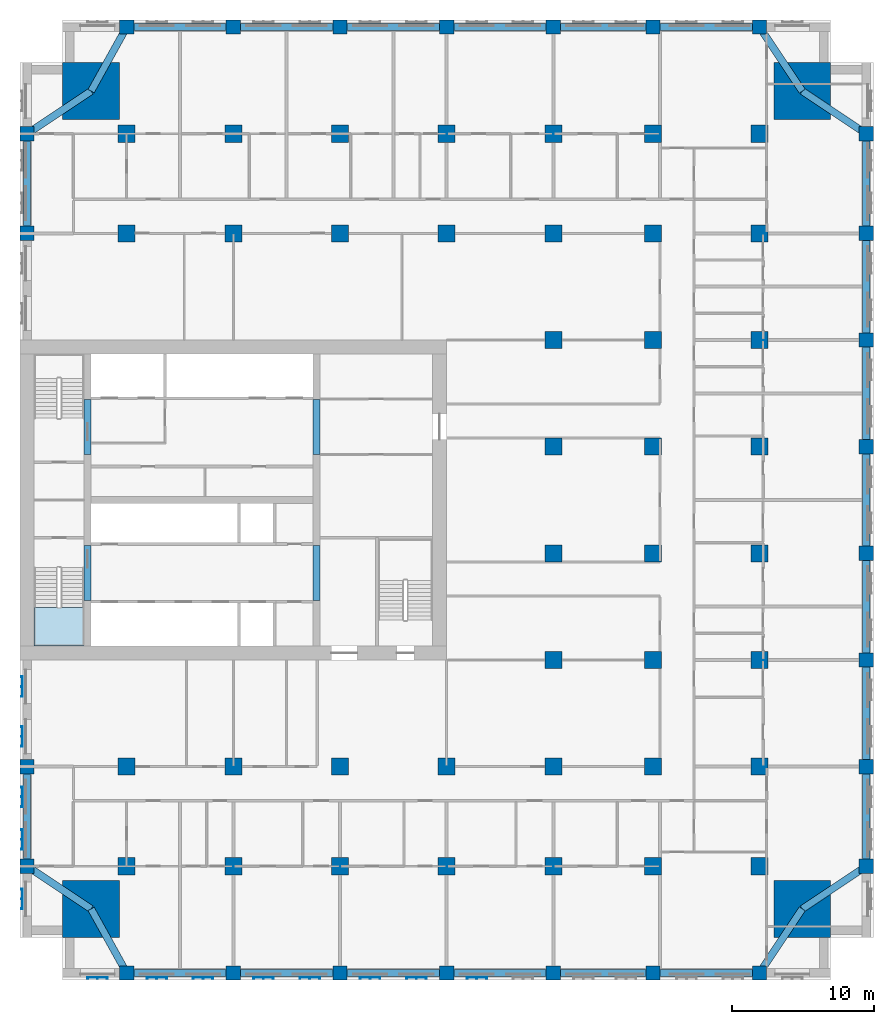
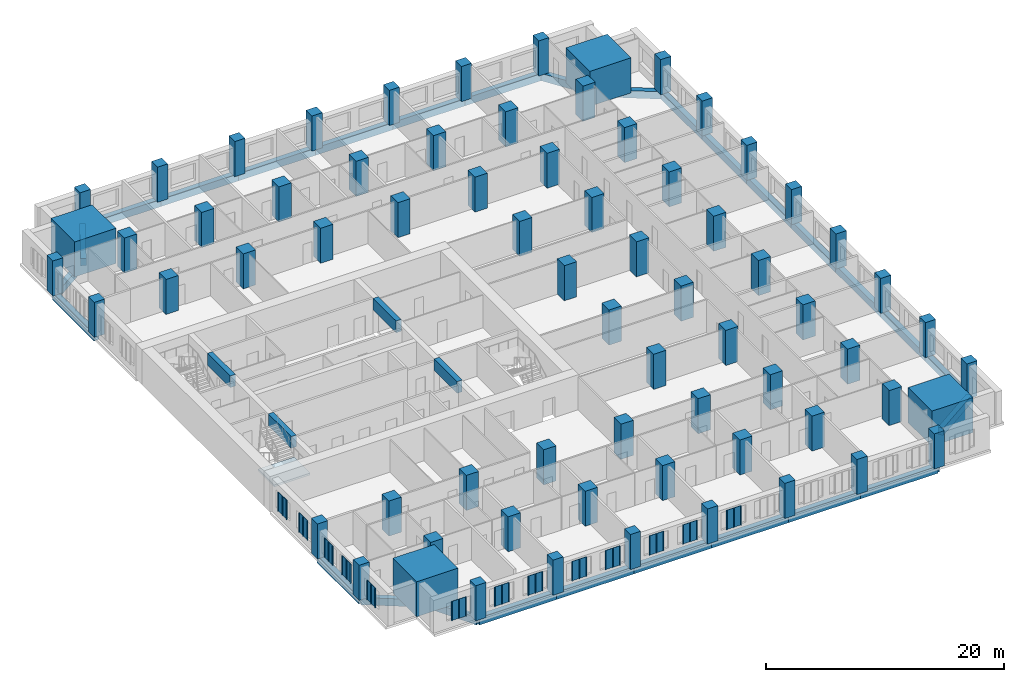
# One storey, part 1 of 14: 70 columns, 33 beams, 13 plates, 1 slab, 1 element without a shape of its own.
"""IFC4 building model written with IfcOpenShell, lengths in metres."""

from ifc_helpers import new_model, si_unit, direction, frame, origin, origin_2d, place, context, subcontext, project, spatial, polyline, rectangle, outline, extrude, material, layer, layer_set, material_profile, profile_set, type_object, element, aggregate, save


model = new_model("IFC4")

# Units and contexts
model_context = context("Model", 3, precision=1e-05, world=origin(), true_north=direction((0.0, 1.0)))
body_context = subcontext(model_context, "Body", "Model", "MODEL_VIEW")
ifc_project = project(units=[si_unit("LENGTHUNIT", "METRE"), si_unit("AREAUNIT", "SQUARE_METRE"), si_unit("VOLUMEUNIT", "CUBIC_METRE"), si_unit("PLANEANGLEUNIT", "RADIAN"), si_unit("MASSUNIT", "GRAM", prefix="KILO")], contexts=[model_context])

# Site, building, storey
site_placement = place(None, origin())
site = spatial("IfcSite", under=ifc_project, at=site_placement, CompositionType="ELEMENT")
building_placement = place(site_placement, origin())
building = spatial("IfcBuilding", under=site, at=building_placement, Name="Tamorin Gate", CompositionType="ELEMENT")
storey_placement = place(building_placement, frame((0.0, 0.0, 44.800048828125)))
storey = spatial("IfcBuildingStorey", under=building, at=storey_placement, Name="L09", CompositionType="ELEMENT", Elevation=44.800048828125)

# Columns
ifc_material_1 = material(Name="Concrete C80/95", Category="concrete")
ifc_material_profile_1 = material_profile(ifc_material_1, rectangle(XDim=1.0, YDim=1.0, at=origin_2d()), Name="RC 1000x1000")
ifc_profile_set_1 = profile_set([ifc_material_profile_1], Name="Concrete C80/95")
column_type_1 = type_object("IfcColumnType", Name="RC column 1000x1000 C80/95", PredefinedType="COLUMN", material=ifc_profile_set_1)
for number, where, z_axis, x_axis, name in (
    (1, (30.5, 45.5, 0.0), (0.0, 0.0, 1.0), (1.0, 0.0, 0.0), "Ring column L09"),
    (2, (30.5, 52.5, 0.0), (0.0, 0.0, 1.0), (1.0, 0.0, 0.0), "Ring column L09"),
    (3, (30.5, 90.0, 0.0), (0.0, 0.0, 1.0), (1.0, 0.0, 0.0), "Ring column L09"),
    (4, (30.5, 97.0, 0.0), (0.0, 0.0, 1.0), (1.0, 0.0, 0.0), "Ring column L09"),
    (5, (37.5, 38.0, 0.0), (0.0, 0.0, 1.0), (1.0, 0.0, 0.0), "Ring column L09"),
    (6, (37.5, 104.5, 0.0), (0.0, 0.0, 1.0), (1.0, 0.0, 0.0), "Ring column L09"),
    (7, (45.0, 38.0, 0.0), (0.0, 0.0, 1.0), (1.0, 0.0, 0.0), "Ring column L09"),
    (8, (45.0, 104.5, 0.0), (0.0, 0.0, 1.0), (1.0, 0.0, 0.0), "Ring column L09"),
    (9, (52.5, 38.0, 0.0), (0.0, 0.0, 1.0), (1.0, 0.0, 0.0), "Ring column L09"),
    (10, (52.5, 104.5, 0.0), (0.0, 0.0, 1.0), (1.0, 0.0, 0.0), "Ring column L09"),
    (11, (60.0, 38.0, 0.0), (0.0, 0.0, 1.0), (1.0, 0.0, 0.0), "Ring column L09"),
    (12, (60.0, 104.5, 0.0), (0.0, 0.0, 1.0), (1.0, 0.0, 0.0), "Ring column L09"),
    (13, (67.5, 38.0, 0.0), (0.0, 0.0, 1.0), (1.0, 0.0, 0.0), "Ring column L09"),
    (14, (67.5, 104.5, 0.0), (0.0, 0.0, 1.0), (1.0, 0.0, 0.0), "Ring column L09"),
    (15, (74.5, 38.0, 0.0), (0.0, 0.0, 1.0), (1.0, 0.0, 0.0), "Ring column L09"),
    (16, (74.5, 104.5, 0.0), (0.0, 0.0, 1.0), (1.0, 0.0, 0.0), "Ring column L09"),
    (17, (82.0, 38.0, 0.0), (0.0, 0.0, 1.0), (1.0, 0.0, 0.0), "Ring column L09"),
    (18, (82.0, 104.5, 0.0), (0.0, 0.0, 1.0), (1.0, 0.0, 0.0), "Ring column L09"),
    (19, (89.5, 45.5, 0.0), (0.0, 0.0, 1.0), (1.0, 0.0, 0.0), "Ring column L09"),
    (20, (89.5, 52.5, 0.0), (0.0, 0.0, 1.0), (1.0, 0.0, 0.0), "Ring column L09"),
    (21, (89.5, 60.0, 0.0), (0.0, 0.0, 1.0), (1.0, 0.0, 0.0), "Ring column L09"),
    (22, (89.5, 67.5, 0.0), (0.0, 0.0, 1.0), (1.0, 0.0, 0.0), "Ring column L09"),
    (23, (89.5, 75.0, 0.0), (0.0, 0.0, 1.0), (1.0, 0.0, 0.0), "Ring column L09"),
    (24, (89.5, 82.5, 0.0), (0.0, 0.0, 1.0), (1.0, 0.0, 0.0), "Ring column L09"),
    (25, (89.5, 90.0, 0.0), (0.0, 0.0, 1.0), (1.0, 0.0, 0.0), "Ring column L09"),
    (26, (89.5, 97.0, 0.0), (0.0, 0.0, 1.0), (1.0, 0.0, 0.0), "Ring column L09"),
):
    element("IfcColumn", number, at=place(storey_placement, frame(where, z_axis=z_axis, x_axis=x_axis)), inside=storey, type_object=column_type_1, Name=name, PredefinedType="COLUMN", context=body_context, shape_type="SweptSolid", body=[
        extrude(rectangle(XDim=1.0, YDim=1.0, at=origin_2d()), origin(), (0.0, 0.0, 1.0), 3.599853515625),
    ])
ifc_material_profile_2 = material_profile(ifc_material_1, rectangle(XDim=1.199951171875, YDim=1.199951171875, at=origin_2d()), Name="RC 1200x1200")
ifc_profile_set_2 = profile_set([ifc_material_profile_2], Name="Concrete C80/95")
column_type_2 = type_object("IfcColumnType", Name="RC column 1200x1200 C80/95", PredefinedType="COLUMN", material=ifc_profile_set_2)
for number, where, z_axis, x_axis, name in (
    (27, (37.5, 45.5, 0.0), (0.0, 0.0, 1.0), (1.0, 0.0, 0.0), "Interior column L09"),
    (28, (37.5, 52.5, 0.0), (0.0, 0.0, 1.0), (1.0, 0.0, 0.0), "Interior column L09"),
    (29, (37.5, 90.0, 0.0), (0.0, 0.0, 1.0), (1.0, 0.0, 0.0), "Interior column L09"),
    (30, (37.5, 97.0, 0.0), (0.0, 0.0, 1.0), (1.0, 0.0, 0.0), "Interior column L09"),
    (31, (45.0, 45.5, 0.0), (0.0, 0.0, 1.0), (1.0, 0.0, 0.0), "Interior column L09"),
    (32, (45.0, 52.5, 0.0), (0.0, 0.0, 1.0), (1.0, 0.0, 0.0), "Interior column L09"),
    (33, (45.0, 90.0, 0.0), (0.0, 0.0, 1.0), (1.0, 0.0, 0.0), "Interior column L09"),
    (34, (45.0, 97.0, 0.0), (0.0, 0.0, 1.0), (1.0, 0.0, 0.0), "Interior column L09"),
    (35, (52.5, 45.5, 0.0), (0.0, 0.0, 1.0), (1.0, 0.0, 0.0), "Interior column L09"),
    (36, (52.5, 52.5, 0.0), (0.0, 0.0, 1.0), (1.0, 0.0, 0.0), "Interior column L09"),
    (37, (52.5, 90.0, 0.0), (0.0, 0.0, 1.0), (1.0, 0.0, 0.0), "Interior column L09"),
    (38, (52.5, 97.0, 0.0), (0.0, 0.0, 1.0), (1.0, 0.0, 0.0), "Interior column L09"),
    (39, (60.0, 45.5, 0.0), (0.0, 0.0, 1.0), (1.0, 0.0, 0.0), "Interior column L09"),
    (40, (60.0, 52.5, 0.0), (0.0, 0.0, 1.0), (1.0, 0.0, 0.0), "Interior column L09"),
    (41, (60.0, 90.0, 0.0), (0.0, 0.0, 1.0), (1.0, 0.0, 0.0), "Interior column L09"),
    (42, (60.0, 97.0, 0.0), (0.0, 0.0, 1.0), (1.0, 0.0, 0.0), "Interior column L09"),
    (43, (67.5, 45.5, 0.0), (0.0, 0.0, 1.0), (1.0, 0.0, 0.0), "Interior column L09"),
    (44, (67.5, 52.5, 0.0), (0.0, 0.0, 1.0), (1.0, 0.0, 0.0), "Interior column L09"),
    (45, (67.5, 60.0, 0.0), (0.0, 0.0, 1.0), (1.0, 0.0, 0.0), "Interior column L09"),
    (46, (67.5, 67.5, 0.0), (0.0, 0.0, 1.0), (1.0, 0.0, 0.0), "Interior column L09"),
    (47, (67.5, 75.0, 0.0), (0.0, 0.0, 1.0), (1.0, 0.0, 0.0), "Interior column L09"),
    (48, (67.5, 82.5, 0.0), (0.0, 0.0, 1.0), (1.0, 0.0, 0.0), "Interior column L09"),
    (49, (67.5, 90.0, 0.0), (0.0, 0.0, 1.0), (1.0, 0.0, 0.0), "Interior column L09"),
    (50, (67.5, 97.0, 0.0), (0.0, 0.0, 1.0), (1.0, 0.0, 0.0), "Interior column L09"),
    (51, (74.5, 45.5, 0.0), (0.0, 0.0, 1.0), (1.0, 0.0, 0.0), "Interior column L09"),
    (52, (74.5, 52.5, 0.0), (0.0, 0.0, 1.0), (1.0, 0.0, 0.0), "Interior column L09"),
    (53, (74.5, 60.0, 0.0), (0.0, 0.0, 1.0), (1.0, 0.0, 0.0), "Interior column L09"),
    (54, (74.5, 67.5, 0.0), (0.0, 0.0, 1.0), (1.0, 0.0, 0.0), "Interior column L09"),
    (55, (74.5, 75.0, 0.0), (0.0, 0.0, 1.0), (1.0, 0.0, 0.0), "Interior column L09"),
    (56, (74.5, 82.5, 0.0), (0.0, 0.0, 1.0), (1.0, 0.0, 0.0), "Interior column L09"),
    (57, (74.5, 90.0, 0.0), (0.0, 0.0, 1.0), (1.0, 0.0, 0.0), "Interior column L09"),
    (58, (74.5, 97.0, 0.0), (0.0, 0.0, 1.0), (1.0, 0.0, 0.0), "Interior column L09"),
    (59, (82.0, 45.5, 0.0), (0.0, 0.0, 1.0), (1.0, 0.0, 0.0), "Interior column L09"),
    (60, (82.0, 52.5, 0.0), (0.0, 0.0, 1.0), (1.0, 0.0, 0.0), "Interior column L09"),
    (61, (82.0, 60.0, 0.0), (0.0, 0.0, 1.0), (1.0, 0.0, 0.0), "Interior column L09"),
    (62, (82.0, 67.5, 0.0), (0.0, 0.0, 1.0), (1.0, 0.0, 0.0), "Interior column L09"),
    (63, (82.0, 75.0, 0.0), (0.0, 0.0, 1.0), (1.0, 0.0, 0.0), "Interior column L09"),
    (64, (82.0, 82.5, 0.0), (0.0, 0.0, 1.0), (1.0, 0.0, 0.0), "Interior column L09"),
    (65, (82.0, 90.0, 0.0), (0.0, 0.0, 1.0), (1.0, 0.0, 0.0), "Interior column L09"),
    (66, (82.0, 97.0, 0.0), (0.0, 0.0, 1.0), (1.0, 0.0, 0.0), "Interior column L09"),
):
    element("IfcColumn", number, at=place(storey_placement, frame(where, z_axis=z_axis, x_axis=x_axis)), inside=storey, type_object=column_type_2, Name=name, PredefinedType="COLUMN", context=body_context, shape_type="SweptSolid", body=[
        extrude(rectangle(XDim=1.199951171875, YDim=1.199951171875, at=origin_2d()), origin(), (0.0, 0.0, 1.0), 3.599853515625),
    ])
ifc_material_profile_3 = material_profile(ifc_material_1, rectangle(XDim=4.0, YDim=4.0, at=origin_2d()), Name="RC 4000x4000")
ifc_profile_set_3 = profile_set([ifc_material_profile_3], Name="Concrete C80/95")
column_type_3 = type_object("IfcColumnType", Name="RC column 4000x4000 C80/95", PredefinedType="COLUMN", material=ifc_profile_set_3)
for number, where, z_axis, x_axis, name in (
    (67, (35.0, 42.5, 0.0), (0.0, 0.0, 1.0), (1.0, 0.0, 0.0), "Mega column SW L09"),
    (68, (85.0, 42.5, 0.0), (0.0, 0.0, 1.0), (1.0, 0.0, 0.0), "Mega column SE L09"),
    (69, (35.0, 100.0, 0.0), (0.0, 0.0, 1.0), (1.0, 0.0, 0.0), "Mega column NW L09"),
    (70, (85.0, 100.0, 0.0), (0.0, 0.0, 1.0), (1.0, 0.0, 0.0), "Mega column NE L09"),
):
    element("IfcColumn", number, at=place(storey_placement, frame(where, z_axis=z_axis, x_axis=x_axis)), inside=storey, type_object=column_type_3, Name=name, PredefinedType="COLUMN", context=body_context, shape_type="SweptSolid", body=[
        extrude(rectangle(XDim=4.0, YDim=4.0, at=origin_2d()), origin(), (0.0, 0.0, 1.0), 3.599853515625),
    ])

# Beams
ifc_material_profile_4 = material_profile(ifc_material_1, rectangle(XDim=0.5, YDim=1.199951171875, at=origin_2d()), Name="RC 500x1200")
ifc_profile_set_4 = profile_set([ifc_material_profile_4], Name="Concrete C80/95")
beam_type_1 = type_object("IfcBeamType", Name="RC coupling beam 500x1200 C80/95", PredefinedType="BEAM", material=ifc_profile_set_4)
for number, where, z_axis, x_axis, name in (
    (71, (34.75, 64.199951171875, 3.0), (0.0, 1.0, 0.0), (-1.0, 0.0, 0.0), "Coupling beam L09"),
    (72, (34.75, 74.449951171875, 3.0), (0.0, 1.0, 0.0), (-1.0, 0.0, 0.0), "Coupling beam L09"),
    (73, (50.85009765625, 64.199951171875, 3.0), (0.0, 1.0, 0.0), (-1.0, 0.0, 0.0), "Coupling beam L09"),
    (74, (50.85009765625, 74.449951171875, 3.0), (0.0, 1.0, 0.0), (-1.0, 0.0, 0.0), "Coupling beam L09"),
):
    element("IfcBeam", number, at=place(storey_placement, frame(where, z_axis=z_axis, x_axis=x_axis)), inside=storey, type_object=beam_type_1, Name=name, PredefinedType="BEAM", context=body_context, shape_type="SweptSolid", body=[
        extrude(rectangle(XDim=0.5, YDim=1.199951171875, at=origin_2d()), origin(), (0.0, 0.0, 1.0), 3.85009765625),
    ])
ifc_material_2 = material(Name="Concrete C50/60", Category="concrete")
ifc_material_profile_5 = material_profile(ifc_material_2, rectangle(XDim=0.5, YDim=0.75, at=origin_2d()), Name="RC 500x750")
ifc_profile_set_5 = profile_set([ifc_material_profile_5], Name="Concrete C50/60")
beam_type_2 = type_object("IfcBeamType", Name="RC spandrel 500x750 C50/60", PredefinedType="BEAM", material=ifc_profile_set_5)
for number, where, z_axis, x_axis, name in (
    (75, (37.5, 38.0, -0.375), (1.0, 0.0, 0.0), (0.0, 1.0, 0.0), "Spandrel beam L09"),
    (76, (45.0, 38.0, -0.375), (1.0, 0.0, 0.0), (0.0, 1.0, 0.0), "Spandrel beam L09"),
    (77, (52.5, 38.0, -0.375), (1.0, 0.0, 0.0), (0.0, 1.0, 0.0), "Spandrel beam L09"),
    (78, (60.0, 38.0, -0.375), (1.0, 0.0, 0.0), (0.0, 1.0, 0.0), "Spandrel beam L09"),
):
    element("IfcBeam", number, at=place(storey_placement, frame(where, z_axis=z_axis, x_axis=x_axis)), inside=storey, type_object=beam_type_2, Name=name, PredefinedType="BEAM", context=body_context, shape_type="SweptSolid", body=[
        extrude(rectangle(XDim=0.5, YDim=0.75, at=origin_2d()), origin(), (0.0, 0.0, 1.0), 7.5),
    ])
beam_1_placement = place(storey_placement, frame((67.5, 38.0, -0.375), z_axis=(1.0, 0.0, 0.0), x_axis=(0.0, 1.0, 0.0)))
element("IfcBeam", 79, at=beam_1_placement, inside=storey, type_object=beam_type_2, Name="Spandrel beam L09", PredefinedType="BEAM", context=body_context, shape_type="SweptSolid", body=[
    extrude(rectangle(XDim=0.5, YDim=0.75, at=origin_2d()), origin(), (0.0, 0.0, 1.0), 7.0),
])
beam_2_placement = place(storey_placement, frame((74.5, 38.0, -0.375), z_axis=(1.0, 0.0, 0.0), x_axis=(0.0, 1.0, 0.0)))
element("IfcBeam", 80, at=beam_2_placement, inside=storey, type_object=beam_type_2, Name="Spandrel beam L09", PredefinedType="BEAM", context=body_context, shape_type="SweptSolid", body=[
    extrude(rectangle(XDim=0.5, YDim=0.75, at=origin_2d()), origin(), (0.0, 0.0, 1.0), 7.5),
])
beam_3_placement = place(storey_placement, frame((89.5, 45.5, -0.375), z_axis=(0.0, 1.0, 0.0), x_axis=(-1.0, 0.0, 0.0)))
element("IfcBeam", 81, at=beam_3_placement, inside=storey, type_object=beam_type_2, Name="Spandrel beam L09", PredefinedType="BEAM", context=body_context, shape_type="SweptSolid", body=[
    extrude(rectangle(XDim=0.5, YDim=0.75, at=origin_2d()), origin(), (0.0, 0.0, 1.0), 7.0),
])
for number, where, z_axis, x_axis, name in (
    (82, (89.5, 52.5, -0.375), (0.0, 1.0, 0.0), (-1.0, 0.0, 0.0), "Spandrel beam L09"),
    (83, (89.5, 60.0, -0.375), (0.0, 1.0, 0.0), (-1.0, 0.0, 0.0), "Spandrel beam L09"),
    (84, (89.5, 67.5, -0.375), (0.0, 1.0, 0.0), (-1.0, 0.0, 0.0), "Spandrel beam L09"),
    (85, (89.5, 75.0, -0.375), (0.0, 1.0, 0.0), (-1.0, 0.0, 0.0), "Spandrel beam L09"),
    (86, (89.5, 82.5, -0.375), (0.0, 1.0, 0.0), (-1.0, 0.0, 0.0), "Spandrel beam L09"),
):
    element("IfcBeam", number, at=place(storey_placement, frame(where, z_axis=z_axis, x_axis=x_axis)), inside=storey, type_object=beam_type_2, Name=name, PredefinedType="BEAM", context=body_context, shape_type="SweptSolid", body=[
        extrude(rectangle(XDim=0.5, YDim=0.75, at=origin_2d()), origin(), (0.0, 0.0, 1.0), 7.5),
    ])
beam_4_placement = place(storey_placement, frame((89.5, 90.0, -0.375), z_axis=(0.0, 1.0, 0.0), x_axis=(-1.0, 0.0, 0.0)))
element("IfcBeam", 87, at=beam_4_placement, inside=storey, type_object=beam_type_2, Name="Spandrel beam L09", PredefinedType="BEAM", context=body_context, shape_type="SweptSolid", body=[
    extrude(rectangle(XDim=0.5, YDim=0.75, at=origin_2d()), origin(), (0.0, 0.0, 1.0), 7.0),
])
beam_5_placement = place(storey_placement, frame((82.0, 104.5, -0.375), z_axis=(-1.0, 0.0, 0.0), x_axis=(0.0, -1.0, 0.0)))
element("IfcBeam", 88, at=beam_5_placement, inside=storey, type_object=beam_type_2, Name="Spandrel beam L09", PredefinedType="BEAM", context=body_context, shape_type="SweptSolid", body=[
    extrude(rectangle(XDim=0.5, YDim=0.75, at=origin_2d()), origin(), (0.0, 0.0, 1.0), 7.5),
])
beam_6_placement = place(storey_placement, frame((74.5, 104.5, -0.375), z_axis=(-1.0, 0.0, 0.0), x_axis=(0.0, -1.0, 0.0)))
element("IfcBeam", 89, at=beam_6_placement, inside=storey, type_object=beam_type_2, Name="Spandrel beam L09", PredefinedType="BEAM", context=body_context, shape_type="SweptSolid", body=[
    extrude(rectangle(XDim=0.5, YDim=0.75, at=origin_2d()), origin(), (0.0, 0.0, 1.0), 7.0),
])
for number, where, z_axis, x_axis, name in (
    (90, (67.5, 104.5, -0.375), (-1.0, 0.0, 0.0), (0.0, -1.0, 0.0), "Spandrel beam L09"),
    (91, (60.0, 104.5, -0.375), (-1.0, 0.0, 0.0), (0.0, -1.0, 0.0), "Spandrel beam L09"),
    (92, (52.5, 104.5, -0.375), (-1.0, 0.0, 0.0), (0.0, -1.0, 0.0), "Spandrel beam L09"),
    (93, (45.0, 104.5, -0.375), (-1.0, 0.0, 0.0), (0.0, -1.0, 0.0), "Spandrel beam L09"),
):
    element("IfcBeam", number, at=place(storey_placement, frame(where, z_axis=z_axis, x_axis=x_axis)), inside=storey, type_object=beam_type_2, Name=name, PredefinedType="BEAM", context=body_context, shape_type="SweptSolid", body=[
        extrude(rectangle(XDim=0.5, YDim=0.75, at=origin_2d()), origin(), (0.0, 0.0, 1.0), 7.5),
    ])
for number, where, z_axis, x_axis, name in (
    (94, (30.5, 97.0, -0.375), (0.0, -1.0, 0.0), (1.0, 0.0, 0.0), "Spandrel beam L09"),
    (95, (30.5, 52.5, -0.375), (0.0, -1.0, 0.0), (1.0, 0.0, 0.0), "Spandrel beam L09"),
):
    element("IfcBeam", number, at=place(storey_placement, frame(where, z_axis=z_axis, x_axis=x_axis)), inside=storey, type_object=beam_type_2, Name=name, PredefinedType="BEAM", context=body_context, shape_type="SweptSolid", body=[
        extrude(rectangle(XDim=0.5, YDim=0.75, at=origin_2d()), origin(), (0.0, 0.0, 1.0), 7.0),
    ])
beam_7_placement = place(storey_placement, frame((35.0, 42.5, -0.375), z_axis=(0.485642931179, -0.874157276122, 0.0), x_axis=(0.874157276122, 0.485642931179, 0.0)))
element("IfcBeam", 96, at=beam_7_placement, inside=storey, type_object=beam_type_2, Name="Corner tie beam L09", PredefinedType="BEAM", context=body_context, shape_type="SweptSolid", body=[
    extrude(rectangle(XDim=0.5, YDim=0.75, at=origin_2d()), origin(), (0.0, 0.0, 1.0), 5.147705078125),
])
for number, where, z_axis, x_axis, name in (
    (97, (35.0, 42.5, -0.375), (-0.832050294338, 0.554700196225, 0.0), (-0.554700196225, -0.832050294338, 0.0), "Corner tie beam L09"),
    (98, (85.0, 42.5, -0.375), (-0.554700196225, -0.832050294338, 0.0), (0.832050294338, -0.554700196225, 0.0), "Corner tie beam L09"),
    (99, (85.0, 42.5, -0.375), (0.832050294338, 0.554700196225, 0.0), (-0.554700196225, 0.832050294338, 0.0), "Corner tie beam L09"),
):
    element("IfcBeam", number, at=place(storey_placement, frame(where, z_axis=z_axis, x_axis=x_axis)), inside=storey, type_object=beam_type_2, Name=name, PredefinedType="BEAM", context=body_context, shape_type="SweptSolid", body=[
        extrude(rectangle(XDim=0.5, YDim=0.75, at=origin_2d()), origin(), (0.0, 0.0, 1.0), 5.408447265625),
    ])
beam_8_placement = place(storey_placement, frame((35.0, 100.0, -0.375), z_axis=(0.485642931179, 0.874157276122, 0.0), x_axis=(-0.874157276122, 0.485642931179, 0.0)))
element("IfcBeam", 100, at=beam_8_placement, inside=storey, type_object=beam_type_2, Name="Corner tie beam L09", PredefinedType="BEAM", context=body_context, shape_type="SweptSolid", body=[
    extrude(rectangle(XDim=0.5, YDim=0.75, at=origin_2d()), origin(), (0.0, 0.0, 1.0), 5.147705078125),
])
for number, where, z_axis, x_axis, name in (
    (101, (35.0, 100.0, -0.375), (-0.832050294338, -0.554700196225, 0.0), (0.554700196225, -0.832050294338, 0.0), "Corner tie beam L09"),
    (102, (85.0, 100.0, -0.375), (-0.554700196225, 0.832050294338, 0.0), (-0.832050294338, -0.554700196225, 0.0), "Corner tie beam L09"),
    (103, (85.0, 100.0, -0.375), (0.832050294338, -0.554700196225, 0.0), (0.554700196225, 0.832050294338, 0.0), "Corner tie beam L09"),
):
    element("IfcBeam", number, at=place(storey_placement, frame(where, z_axis=z_axis, x_axis=x_axis)), inside=storey, type_object=beam_type_2, Name=name, PredefinedType="BEAM", context=body_context, shape_type="SweptSolid", body=[
        extrude(rectangle(XDim=0.5, YDim=0.75, at=origin_2d()), origin(), (0.0, 0.0, 1.0), 5.408447265625),
    ])

# Stair, slab
ifc_material_3 = material(Name="Concrete C40/50", Category="concrete")
stair_type = type_object("IfcStairType", Name="Exit stair", PredefinedType="HALF_TURN_STAIR", material=ifc_material_3)
stair_placement = place(storey_placement, origin())
stair = element("IfcStair", 104, at=stair_placement, inside=storey, type_object=stair_type, Name="L09 stair ST1", PredefinedType="HALF_TURN_STAIR")
ifc_layer_1 = layer(ifc_material_3, 0.199951171875)
ifc_layer_set_1 = layer_set([ifc_layer_1], Name="Exit stair landing 200")
slab_type = type_object("IfcSlabType", Name="Exit stair landing 200", PredefinedType="LANDING", material=ifc_layer_set_1)
slab_placement = place(storey_placement, frame((0.0, 0.0, 1.599853515625)))
slab = element("IfcSlab", 105, at=slab_placement, type_object=slab_type, Name="ST1 landing 1", PredefinedType="LANDING", context=body_context, shape_type="SweptSolid", body=[
    extrude(outline(polyline([(31.0, 63.699951171875), (31.0, 61.0), (34.5, 61.0), (34.5, 63.699951171875), (31.0, 63.699951171875)])), origin(), (0.0, 0.0, 1.0), 0.2001953125),
])
aggregate(stair, [slab])

# Plates
ifc_material_4 = material(Name="Perforated pale aluminium sheet", Category="aluminium")
ifc_layer_2 = layer(ifc_material_4, 0.0400390625)
ifc_layer_set_2 = layer_set([ifc_layer_2], Name="Pale metal solar screen 1440")
plate_type = type_object("IfcPlateType", Name="Pale metal solar screen 1440", PredefinedType="SHEET", material=ifc_layer_set_2)
plate_1_placement = place(storey_placement, frame((0.0, 0.0, 0.7099609375)))
element("IfcPlate", 106, at=plate_1_placement, inside=storey, type_object=plate_type, Name="Perforated solar screen", PredefinedType="SHEET", context=body_context, shape_type="SweptSolid", body=[
    extrude(outline(polyline([(34.72998046875, 37.659912109375), (34.72998046875, 37.699951171875), (34.7900390625, 37.699951171875), (35.419921875, 37.699951171875), (35.47998046875, 37.699951171875), (36.110107421875, 37.699951171875), (36.169921875, 37.699951171875), (36.169921875, 37.659912109375), (36.169921875, 37.60009765625), (36.110107421875, 37.60009765625), (36.110107421875, 37.659912109375), (35.47998046875, 37.659912109375), (35.47998046875, 37.60009765625), (35.419921875, 37.60009765625), (35.419921875, 37.659912109375), (34.7900390625, 37.659912109375), (34.7900390625, 37.60009765625), (34.72998046875, 37.60009765625), (34.72998046875, 37.659912109375)])), origin(), (0.0, 0.0, 1.0), 1.97998046875),
])
plate_2_placement = place(storey_placement, frame((0.0, 0.0, 0.7099609375)))
element("IfcPlate", 107, at=plate_2_placement, inside=storey, type_object=plate_type, Name="Perforated solar screen", PredefinedType="SHEET", context=body_context, shape_type="SweptSolid", body=[
    extrude(outline(polyline([(38.905029296875, 37.659912109375), (38.905029296875, 37.699951171875), (38.965087890625, 37.699951171875), (39.594970703125, 37.699951171875), (39.655029296875, 37.699951171875), (40.284912109375, 37.699951171875), (40.344970703125, 37.699951171875), (40.344970703125, 37.699951171875), (40.344970703125, 37.659912109375), (40.344970703125, 37.659912109375), (40.344970703125, 37.60009765625), (40.284912109375, 37.60009765625), (40.284912109375, 37.659912109375), (39.655029296875, 37.659912109375), (39.655029296875, 37.60009765625), (39.594970703125, 37.60009765625), (39.594970703125, 37.659912109375), (38.965087890625, 37.659912109375), (38.965087890625, 37.60009765625), (38.905029296875, 37.60009765625), (38.905029296875, 37.659912109375)])), origin(), (0.0, 0.0, 1.0), 1.97998046875),
])
plate_3_placement = place(storey_placement, frame((0.0, 0.0, 0.7099609375)))
element("IfcPlate", 108, at=plate_3_placement, inside=storey, type_object=plate_type, Name="Perforated solar screen", PredefinedType="SHEET", context=body_context, shape_type="SweptSolid", body=[
    extrude(outline(polyline([(42.155029296875, 37.659912109375), (42.155029296875, 37.699951171875), (42.215087890625, 37.699951171875), (42.844970703125, 37.699951171875), (42.905029296875, 37.699951171875), (43.534912109375, 37.699951171875), (43.594970703125, 37.699951171875), (43.594970703125, 37.659912109375), (43.594970703125, 37.60009765625), (43.534912109375, 37.60009765625), (43.534912109375, 37.659912109375), (42.905029296875, 37.659912109375), (42.905029296875, 37.60009765625), (42.844970703125, 37.60009765625), (42.844970703125, 37.659912109375), (42.215087890625, 37.659912109375), (42.215087890625, 37.60009765625), (42.155029296875, 37.60009765625), (42.155029296875, 37.659912109375)])), origin(), (0.0, 0.0, 1.0), 1.97998046875),
])
plate_4_placement = place(storey_placement, frame((0.0, 0.0, 0.7099609375)))
element("IfcPlate", 109, at=plate_4_placement, inside=storey, type_object=plate_type, Name="Perforated solar screen", PredefinedType="SHEET", context=body_context, shape_type="SweptSolid", body=[
    extrude(outline(polyline([(46.405029296875, 37.659912109375), (46.405029296875, 37.699951171875), (46.465087890625, 37.699951171875), (47.094970703125, 37.699951171875), (47.155029296875, 37.699951171875), (47.784912109375, 37.699951171875), (47.844970703125, 37.699951171875), (47.844970703125, 37.659912109375), (47.844970703125, 37.60009765625), (47.784912109375, 37.60009765625), (47.784912109375, 37.659912109375), (47.155029296875, 37.659912109375), (47.155029296875, 37.60009765625), (47.094970703125, 37.60009765625), (47.094970703125, 37.659912109375), (46.465087890625, 37.659912109375), (46.465087890625, 37.60009765625), (46.405029296875, 37.60009765625), (46.405029296875, 37.659912109375)])), origin(), (0.0, 0.0, 1.0), 1.97998046875),
])
plate_5_placement = place(storey_placement, frame((0.0, 0.0, 0.7099609375)))
element("IfcPlate", 110, at=plate_5_placement, inside=storey, type_object=plate_type, Name="Perforated solar screen", PredefinedType="SHEET", context=body_context, shape_type="SweptSolid", body=[
    extrude(outline(polyline([(49.655029296875, 37.659912109375), (49.655029296875, 37.699951171875), (49.715087890625, 37.699951171875), (50.344970703125, 37.699951171875), (50.405029296875, 37.699951171875), (51.034912109375, 37.699951171875), (51.094970703125, 37.699951171875), (51.094970703125, 37.659912109375), (51.094970703125, 37.60009765625), (51.034912109375, 37.60009765625), (51.034912109375, 37.659912109375), (50.405029296875, 37.659912109375), (50.405029296875, 37.60009765625), (50.344970703125, 37.60009765625), (50.344970703125, 37.659912109375), (49.715087890625, 37.659912109375), (49.715087890625, 37.60009765625), (49.655029296875, 37.60009765625), (49.655029296875, 37.659912109375)])), origin(), (0.0, 0.0, 1.0), 1.97998046875),
])
plate_6_placement = place(storey_placement, frame((0.0, 0.0, 0.7099609375)))
element("IfcPlate", 111, at=plate_6_placement, inside=storey, type_object=plate_type, Name="Perforated solar screen", PredefinedType="SHEET", context=body_context, shape_type="SweptSolid", body=[
    extrude(outline(polyline([(53.905029296875, 37.659912109375), (53.905029296875, 37.699951171875), (53.965087890625, 37.699951171875), (54.594970703125, 37.699951171875), (54.655029296875, 37.699951171875), (55.284912109375, 37.699951171875), (55.344970703125, 37.699951171875), (55.344970703125, 37.659912109375), (55.344970703125, 37.60009765625), (55.284912109375, 37.60009765625), (55.284912109375, 37.659912109375), (54.655029296875, 37.659912109375), (54.655029296875, 37.60009765625), (54.594970703125, 37.60009765625), (54.594970703125, 37.659912109375), (53.965087890625, 37.659912109375), (53.965087890625, 37.60009765625), (53.905029296875, 37.60009765625), (53.905029296875, 37.659912109375)])), origin(), (0.0, 0.0, 1.0), 1.97998046875),
])
plate_7_placement = place(storey_placement, frame((0.0, 0.0, 0.7099609375)))
element("IfcPlate", 112, at=plate_7_placement, inside=storey, type_object=plate_type, Name="Perforated solar screen", PredefinedType="SHEET", context=body_context, shape_type="SweptSolid", body=[
    extrude(outline(polyline([(57.155029296875, 37.659912109375), (57.155029296875, 37.699951171875), (57.215087890625, 37.699951171875), (57.844970703125, 37.699951171875), (57.905029296875, 37.699951171875), (58.534912109375, 37.699951171875), (58.594970703125, 37.699951171875), (58.594970703125, 37.659912109375), (58.594970703125, 37.60009765625), (58.534912109375, 37.60009765625), (58.534912109375, 37.659912109375), (57.905029296875, 37.659912109375), (57.905029296875, 37.60009765625), (57.844970703125, 37.60009765625), (57.844970703125, 37.659912109375), (57.215087890625, 37.659912109375), (57.215087890625, 37.60009765625), (57.155029296875, 37.60009765625), (57.155029296875, 37.659912109375)])), origin(), (0.0, 0.0, 1.0), 1.97998046875),
])
plate_8_placement = place(storey_placement, frame((0.0, 0.0, 0.7099609375)))
element("IfcPlate", 113, at=plate_8_placement, inside=storey, type_object=plate_type, Name="Perforated solar screen", PredefinedType="SHEET", context=body_context, shape_type="SweptSolid", body=[
    extrude(outline(polyline([(61.405029296875, 37.659912109375), (61.405029296875, 37.699951171875), (61.465087890625, 37.699951171875), (62.094970703125, 37.699951171875), (62.155029296875, 37.699951171875), (62.784912109375, 37.699951171875), (62.844970703125, 37.699951171875), (62.844970703125, 37.659912109375), (62.844970703125, 37.60009765625), (62.784912109375, 37.60009765625), (62.784912109375, 37.659912109375), (62.155029296875, 37.659912109375), (62.155029296875, 37.60009765625), (62.094970703125, 37.60009765625), (62.094970703125, 37.659912109375), (61.465087890625, 37.659912109375), (61.465087890625, 37.60009765625), (61.405029296875, 37.60009765625), (61.405029296875, 37.659912109375)])), origin(), (0.0, 0.0, 1.0), 1.97998046875),
])
plate_9_placement = place(storey_placement, frame((0.0, 0.0, 0.7099609375)))
element("IfcPlate", 114, at=plate_9_placement, inside=storey, type_object=plate_type, Name="Perforated solar screen", PredefinedType="SHEET", context=body_context, shape_type="SweptSolid", body=[
    extrude(outline(polyline([(30.159912109375, 55.344970703125), (30.199951171875, 55.344970703125), (30.199951171875, 55.284912109375), (30.199951171875, 54.655029296875), (30.199951171875, 54.594970703125), (30.199951171875, 53.965087890625), (30.199951171875, 53.905029296875), (30.159912109375, 53.905029296875), (30.10009765625, 53.905029296875), (30.10009765625, 53.965087890625), (30.159912109375, 53.965087890625), (30.159912109375, 54.594970703125), (30.10009765625, 54.594970703125), (30.10009765625, 54.655029296875), (30.159912109375, 54.655029296875), (30.159912109375, 55.284912109375), (30.10009765625, 55.284912109375), (30.10009765625, 55.344970703125), (30.159912109375, 55.344970703125)])), origin(), (0.0, 0.0, 1.0), 1.97998046875),
])
plate_10_placement = place(storey_placement, frame((0.0, 0.0, 0.7099609375)))
element("IfcPlate", 115, at=plate_10_placement, inside=storey, type_object=plate_type, Name="Perforated solar screen", PredefinedType="SHEET", context=body_context, shape_type="SweptSolid", body=[
    extrude(outline(polyline([(30.159912109375, 58.844970703125), (30.199951171875, 58.844970703125), (30.199951171875, 58.784912109375), (30.199951171875, 58.155029296875), (30.199951171875, 58.094970703125), (30.199951171875, 57.465087890625), (30.199951171875, 57.405029296875), (30.159912109375, 57.405029296875), (30.10009765625, 57.405029296875), (30.10009765625, 57.465087890625), (30.159912109375, 57.465087890625), (30.159912109375, 58.094970703125), (30.10009765625, 58.094970703125), (30.10009765625, 58.155029296875), (30.159912109375, 58.155029296875), (30.159912109375, 58.784912109375), (30.10009765625, 58.784912109375), (30.10009765625, 58.844970703125), (30.159912109375, 58.844970703125)])), origin(), (0.0, 0.0, 1.0), 1.97998046875),
])
plate_11_placement = place(storey_placement, frame((0.0, 0.0, 0.7099609375)))
element("IfcPlate", 116, at=plate_11_placement, inside=storey, type_object=plate_type, Name="Perforated solar screen", PredefinedType="SHEET", context=body_context, shape_type="SweptSolid", body=[
    extrude(outline(polyline([(30.159912109375, 48.094970703125), (30.199951171875, 48.094970703125), (30.199951171875, 48.034912109375), (30.199951171875, 47.405029296875), (30.199951171875, 47.344970703125), (30.199951171875, 46.715087890625), (30.199951171875, 46.655029296875), (30.159912109375, 46.655029296875), (30.10009765625, 46.655029296875), (30.10009765625, 46.715087890625), (30.159912109375, 46.715087890625), (30.159912109375, 47.344970703125), (30.10009765625, 47.344970703125), (30.10009765625, 47.405029296875), (30.159912109375, 47.405029296875), (30.159912109375, 48.034912109375), (30.10009765625, 48.034912109375), (30.10009765625, 48.094970703125), (30.159912109375, 48.094970703125)])), origin(), (0.0, 0.0, 1.0), 1.97998046875),
])
plate_12_placement = place(storey_placement, frame((0.0, 0.0, 0.7099609375)))
element("IfcPlate", 117, at=plate_12_placement, inside=storey, type_object=plate_type, Name="Perforated solar screen", PredefinedType="SHEET", context=body_context, shape_type="SweptSolid", body=[
    extrude(outline(polyline([(30.159912109375, 51.094970703125), (30.199951171875, 51.094970703125), (30.199951171875, 51.034912109375), (30.199951171875, 50.405029296875), (30.199951171875, 50.344970703125), (30.199951171875, 49.715087890625), (30.199951171875, 49.655029296875), (30.159912109375, 49.655029296875), (30.10009765625, 49.655029296875), (30.10009765625, 49.715087890625), (30.159912109375, 49.715087890625), (30.159912109375, 50.344970703125), (30.10009765625, 50.344970703125), (30.10009765625, 50.405029296875), (30.159912109375, 50.405029296875), (30.159912109375, 51.034912109375), (30.10009765625, 51.034912109375), (30.10009765625, 51.094970703125), (30.159912109375, 51.094970703125)])), origin(), (0.0, 0.0, 1.0), 1.97998046875),
])
plate_13_placement = place(storey_placement, frame((0.0, 0.0, 0.7099609375)))
element("IfcPlate", 118, at=plate_13_placement, inside=storey, type_object=plate_type, Name="Perforated solar screen", PredefinedType="SHEET", context=body_context, shape_type="SweptSolid", body=[
    extrude(outline(polyline([(30.159912109375, 43.919921875), (30.199951171875, 43.919921875), (30.199951171875, 43.860107421875), (30.199951171875, 43.22998046875), (30.199951171875, 43.169921875), (30.199951171875, 42.5400390625), (30.199951171875, 42.47998046875), (30.159912109375, 42.47998046875), (30.10009765625, 42.47998046875), (30.10009765625, 42.5400390625), (30.159912109375, 42.5400390625), (30.159912109375, 43.169921875), (30.10009765625, 43.169921875), (30.10009765625, 43.22998046875), (30.159912109375, 43.22998046875), (30.159912109375, 43.860107421875), (30.10009765625, 43.860107421875), (30.10009765625, 43.919921875), (30.159912109375, 43.919921875)])), origin(), (0.0, 0.0, 1.0), 1.97998046875),
])

save(model, "model.ifc")
